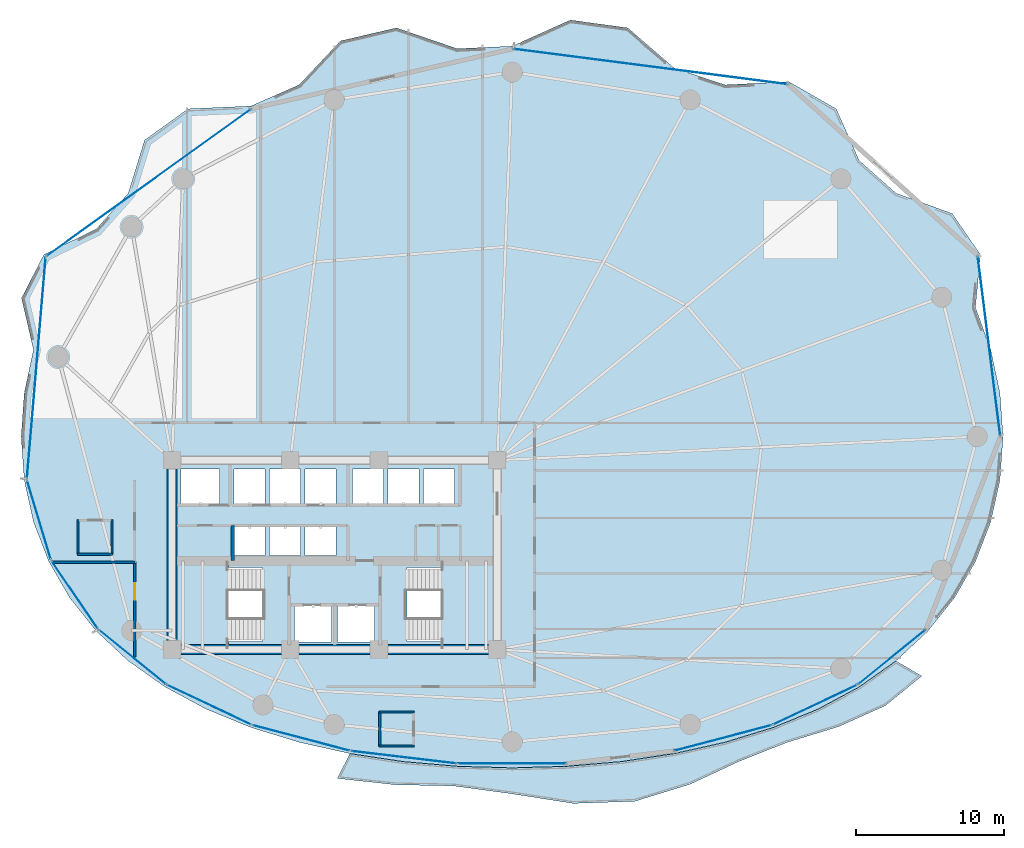
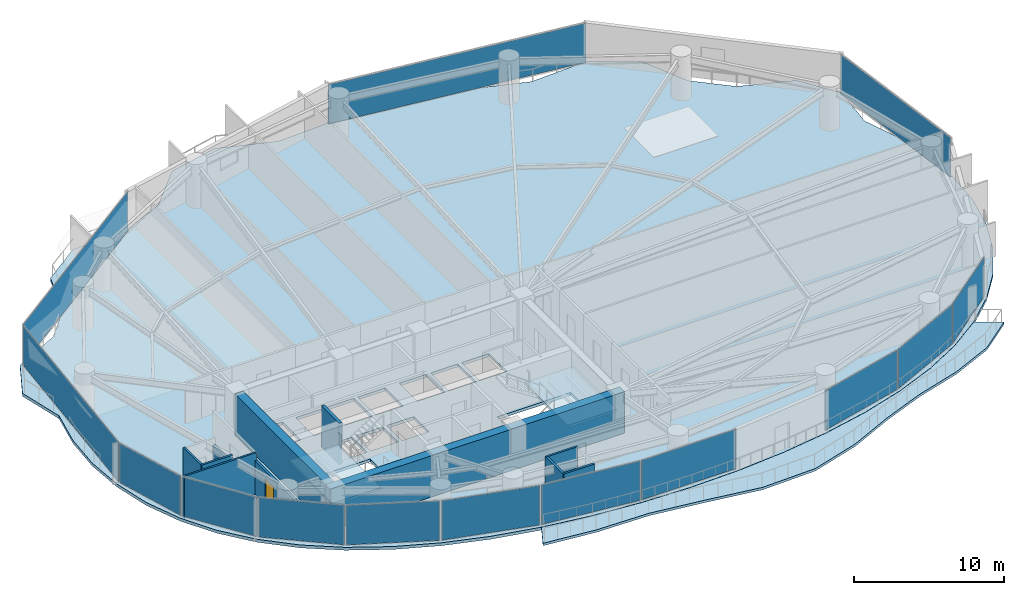
# One storey, part 24 of 30: 14 plates, 11 walls, 4 slabs, 1 door, 1 opening, 16 elements without a shape of their own.
"""IFC4 building model written with IfcOpenShell, lengths in metres."""

from ifc_helpers import new_model, si_unit, direction, frame, frame_2d, origin, origin_2d, place, context, subcontext, project, spatial, polyline, rectangle, outline, extrude, material, layer, layer_set, type_object, element, fill, aggregate, save


model = new_model("IFC4")

# Units and contexts
model_context = context("Model", 3, precision=1e-05, world=origin(), true_north=direction((0.0, 1.0)))
body_context = subcontext(model_context, "Body", "Model", "MODEL_VIEW")
ifc_project = project(units=[si_unit("LENGTHUNIT", "METRE"), si_unit("AREAUNIT", "SQUARE_METRE"), si_unit("VOLUMEUNIT", "CUBIC_METRE"), si_unit("PLANEANGLEUNIT", "RADIAN"), si_unit("MASSUNIT", "GRAM", prefix="KILO")], contexts=[model_context])

# Site, building, storey
site_placement = place(None, origin())
site = spatial("IfcSite", under=ifc_project, at=site_placement, CompositionType="ELEMENT")
building_placement = place(site_placement, origin())
building = spatial("IfcBuilding", under=site, at=building_placement, Name="Kazevale Care Tower and Concert Hall", CompositionType="ELEMENT")
storey_placement = place(building_placement, frame((0.0, 0.0, 70.800048828125)))
storey = spatial("IfcBuildingStorey", under=building, at=storey_placement, Name="L18", CompositionType="ELEMENT", Elevation=70.800048828125)

# Curtain wall, plate
ifc_material_1 = material(Name="Aluminium 6063-T6 and Low-E Glass", Category="aluminium")
ifc_layer_1 = layer(ifc_material_1, 0.179931640625)
ifc_layer_set_1 = layer_set([ifc_layer_1], Name="Aluminium 6063-T6 and Low-E Glass")
curtain_wall_type_1 = type_object("IfcCurtainWallType", Name="Convex Recessed Sunroom Curtain Wall CW-3", PredefinedType="NOTDEFINED", material=ifc_layer_set_1)
curtain_wall_1_placement = place(storey_placement, origin())
curtain_wall_1 = element("IfcCurtainWall", 1, at=curtain_wall_1_placement, inside=storey, type_object=curtain_wall_type_1, Name="cw:L18:f14", PredefinedType="NOTDEFINED")
ifc_material_2 = material(Name="Low-E Laminated Glass", Category="glass")
ifc_layer_2 = layer(ifc_material_2, 0.028076171875)
ifc_layer_set_2 = layer_set([ifc_layer_2], Name="Low-E Laminated Glass")
plate_type_1 = type_object("IfcPlateType", Name="CW-3 Low-E Glazing Panel 28mm", PredefinedType="CURTAIN_PANEL", material=ifc_layer_set_2)
plate_1_placement = place(storey_placement, frame((20.4208984375, 55.169921875, 0.074951171875), z_axis=(0.0, 0.0, 1.0), x_axis=(0.811757810171, 0.583994227391, 0.0)))
plate_1 = element("IfcPlate", 2, at=plate_1_placement, type_object=plate_type_1, Name="CW-3 panel 1.1", PredefinedType="CURTAIN_PANEL", context=body_context, shape_type="SweptSolid", body=[
    extrude(rectangle(XDim=16.990478515625, YDim=0.028076171875, at=origin_2d()), origin(), (0.0, 0.0, 1.0), 3.2099609375),
])
aggregate(curtain_wall_1, [plate_1])

curtain_wall_2_placement = place(storey_placement, origin())
curtain_wall_2 = element("IfcCurtainWall", 3, at=curtain_wall_2_placement, inside=storey, type_object=curtain_wall_type_1, Name="cw:L18:f16", PredefinedType="NOTDEFINED")
plate_2_placement = place(storey_placement, frame((54.349609375, 63.02197265625, 0.074951171875), z_axis=(0.0, 0.0, 1.0), x_axis=(0.991790949461, -0.127869904852, 0.0)))
plate_2 = element("IfcPlate", 4, at=plate_2_placement, type_object=plate_type_1, Name="CW-3 panel 1.1", PredefinedType="CURTAIN_PANEL", context=body_context, shape_type="SweptSolid", body=[
    extrude(rectangle(XDim=18.619140625, YDim=0.028076171875, at=origin_2d()), origin(), (0.0, 0.0, 1.0), 3.2099609375),
])
aggregate(curtain_wall_2, [plate_2])

ifc_layer_3 = layer(ifc_material_1, 0.179931640625)
ifc_layer_set_3 = layer_set([ifc_layer_3], Name="Aluminium 6063-T6 and Low-E Glass")
curtain_wall_type_2 = type_object("IfcCurtainWallType", Name="Waist & Upper Residential Curtain Wall CW-4", PredefinedType="NOTDEFINED", material=ifc_layer_set_3)
curtain_wall_3_placement = place(storey_placement, origin())
curtain_wall_3 = element("IfcCurtainWall", 5, at=curtain_wall_3_placement, inside=storey, type_object=curtain_wall_type_2, Name="cw:L18:f11", PredefinedType="NOTDEFINED")
ifc_layer_4 = layer(ifc_material_2, 0.030029296875)
ifc_layer_set_4 = layer_set([ifc_layer_4], Name="Low-E Laminated Glass")
plate_type_2 = type_object("IfcPlateType", Name="CW-4 Low-E Glazing Panel 30mm", PredefinedType="CURTAIN_PANEL", material=ifc_layer_set_4)
plate_3_placement = place(storey_placement, frame((15.423583984375, 27.298095703125, 0.080078125), z_axis=(0.0, 0.0, 1.0), x_axis=(-0.563665236801, 0.826003329789, 0.0)))
plate_3 = element("IfcPlate", 6, at=plate_3_placement, type_object=plate_type_2, Name="CW-4 panel 1.1", PredefinedType="CURTAIN_PANEL", context=body_context, shape_type="SweptSolid", body=[
    extrude(rectangle(XDim=5.50830078125, YDim=0.030029296875, at=origin_2d()), origin(), (0.0, 0.0, 1.0), 3.199951171875),
])
aggregate(curtain_wall_3, [plate_3])

curtain_wall_4_placement = place(storey_placement, origin())
curtain_wall_4 = element("IfcCurtainWall", 7, at=curtain_wall_4_placement, inside=storey, type_object=curtain_wall_type_2, Name="cw:L18:f12", PredefinedType="NOTDEFINED")
plate_4_placement = place(storey_placement, frame((13.006591796875, 32.364990234375, 0.080078125), z_axis=(0.0, 0.0, 1.0), x_axis=(-0.287895747909, 0.957661755703, 0.0)))
plate_4 = element("IfcPlate", 8, at=plate_4_placement, type_object=plate_type_2, Name="CW-4 panel 1.1", PredefinedType="CURTAIN_PANEL", context=body_context, shape_type="SweptSolid", body=[
    extrude(rectangle(XDim=5.532958984375, YDim=0.030029296875, at=origin_2d()), origin(), (0.0, 0.0, 1.0), 3.199951171875),
])
aggregate(curtain_wall_4, [plate_4])

curtain_wall_5_placement = place(storey_placement, origin())
curtain_wall_5 = element("IfcCurtainWall", 9, at=curtain_wall_5_placement, inside=storey, type_object=curtain_wall_type_2, Name="cw:L18:f13", PredefinedType="NOTDEFINED")
plate_5_placement = place(storey_placement, frame((12.825439453125, 42.6279296875, 0.080078125), z_axis=(0.0, 0.0, 1.0), x_axis=(0.084413041998, 0.996430849754, 0.0)))
plate_5 = element("IfcPlate", 10, at=plate_5_placement, type_object=plate_type_2, Name="CW-4 panel 1.1", PredefinedType="CURTAIN_PANEL", context=body_context, shape_type="SweptSolid", body=[
    extrude(rectangle(XDim=14.968017578125, YDim=0.030029296875, at=origin_2d()), origin(), (0.0, 0.0, 1.0), 3.199951171875),
])
aggregate(curtain_wall_5, [plate_5])

curtain_wall_6_placement = place(storey_placement, origin())
curtain_wall_6 = element("IfcCurtainWall", 11, at=curtain_wall_6_placement, inside=storey, type_object=curtain_wall_type_2, Name="cw:L18:f18", PredefinedType="NOTDEFINED")
plate_6_placement = place(storey_placement, frame((77.251953125, 44.1259765625, 0.080078125), z_axis=(0.0, 0.0, 1.0), x_axis=(0.124393554037, -0.992232958389, 0.0)))
plate_6 = element("IfcPlate", 12, at=plate_6_placement, type_object=plate_type_2, Name="CW-4 panel 1.1", PredefinedType="CURTAIN_PANEL", context=body_context, shape_type="SweptSolid", body=[
    extrude(rectangle(XDim=12.18798828125, YDim=0.030029296875, at=origin_2d()), origin(), (0.0, 0.0, 1.0), 3.199951171875),
])
aggregate(curtain_wall_6, [plate_6])

ifc_layer_5 = layer(ifc_material_1, 0.179931640625)
ifc_layer_set_5 = layer_set([ifc_layer_5], Name="Aluminium 6063-T6 and Low-E Glass")
curtain_wall_type_3 = type_object("IfcCurtainWallType", Name="Sheltered Concave Balcony Curtain Wall CW-5", PredefinedType="NOTDEFINED", material=ifc_layer_set_5)
curtain_wall_7_placement = place(storey_placement, origin())
curtain_wall_7 = element("IfcCurtainWall", 13, at=curtain_wall_7_placement, inside=storey, type_object=curtain_wall_type_3, Name="cw:L18:f02", PredefinedType="NOTDEFINED")
ifc_layer_6 = layer(ifc_material_2, 0.02587890625)
ifc_layer_set_6 = layer_set([ifc_layer_6], Name="Low-E Laminated Glass")
plate_type_3 = type_object("IfcPlateType", Name="CW-5 Low-E Glazing Panel 26mm", PredefinedType="CURTAIN_PANEL", material=ifc_layer_set_6)
plate_7_placement = place(storey_placement, frame((70.679931640625, 23.092041015625, 0.074951171875), z_axis=(0.0, 0.0, 1.0), x_axis=(-0.77659940539, -0.629994732952, 0.0)))
plate_7 = element("IfcPlate", 14, at=plate_7_placement, type_object=plate_type_3, Name="CW-5 panel 1.1", PredefinedType="CURTAIN_PANEL", context=body_context, shape_type="SweptSolid", body=[
    extrude(rectangle(XDim=5.770751953125, YDim=0.02587890625, at=origin_2d()), origin(), (0.0, 0.0, 1.0), 3.2099609375),
])
aggregate(curtain_wall_7, [plate_7])

curtain_wall_8_placement = place(storey_placement, origin())
curtain_wall_8 = element("IfcCurtainWall", 15, at=curtain_wall_8_placement, inside=storey, type_object=curtain_wall_type_3, Name="cw:L18:f03", PredefinedType="NOTDEFINED")
plate_8_placement = place(storey_placement, frame((65.491943359375, 19.863037109375, 0.074951171875), z_axis=(0.0, 0.0, 1.0), x_axis=(-0.904278859092, -0.426942320459, 0.0)))
plate_8 = element("IfcPlate", 16, at=plate_8_placement, type_object=plate_type_3, Name="CW-5 panel 1.1", PredefinedType="CURTAIN_PANEL", context=body_context, shape_type="SweptSolid", body=[
    extrude(rectangle(XDim=6.239501953125, YDim=0.02587890625, at=origin_2d()), origin(), (0.0, 0.0, 1.0), 3.2099609375),
])
aggregate(curtain_wall_8, [plate_8])

curtain_wall_9_placement = place(storey_placement, origin())
curtain_wall_9 = element("IfcCurtainWall", 17, at=curtain_wall_9_placement, inside=storey, type_object=curtain_wall_type_3, Name="cw:L18:f04", PredefinedType="NOTDEFINED")
plate_9_placement = place(storey_placement, frame((59.267578125, 17.6201171875, 0.074951171875), z_axis=(0.0, 0.0, 1.0), x_axis=(-0.966986230097, -0.254828630267, 0.0)))
plate_9 = element("IfcPlate", 18, at=plate_9_placement, type_object=plate_type_3, Name="CW-5 panel 1.1", PredefinedType="CURTAIN_PANEL", context=body_context, shape_type="SweptSolid", body=[
    extrude(rectangle(XDim=6.748779296875, YDim=0.02587890625, at=origin_2d()), origin(), (0.0, 0.0, 1.0), 3.2099609375),
])
aggregate(curtain_wall_9, [plate_9])

curtain_wall_10_placement = place(storey_placement, origin())
curtain_wall_10 = element("IfcCurtainWall", 19, at=curtain_wall_10_placement, inside=storey, type_object=curtain_wall_type_3, Name="cw:L18:f06", PredefinedType="NOTDEFINED")
plate_10_placement = place(storey_placement, frame((45.0, 15.885986328125, 0.074951171875), z_axis=(0.0, 0.0, 1.0), x_axis=(-1.0, 0.0, 0.0)))
plate_10 = element("IfcPlate", 20, at=plate_10_placement, type_object=plate_type_3, Name="CW-5 panel 1.1", PredefinedType="CURTAIN_PANEL", context=body_context, shape_type="SweptSolid", body=[
    extrude(rectangle(XDim=7.263916015625, YDim=0.02587890625, at=origin_2d()), origin(), (0.0, 0.0, 1.0), 3.2099609375),
])
aggregate(curtain_wall_10, [plate_10])

curtain_wall_11_placement = place(storey_placement, origin())
curtain_wall_11 = element("IfcCurtainWall", 21, at=curtain_wall_11_placement, inside=storey, type_object=curtain_wall_type_3, Name="cw:L18:f07", PredefinedType="NOTDEFINED")
plate_11_placement = place(storey_placement, frame((37.680419921875, 16.3134765625, 0.074951171875), z_axis=(0.0, 0.0, 1.0), x_axis=(-0.993070624294, 0.117519084253, 0.0)))
plate_11 = element("IfcPlate", 22, at=plate_11_placement, type_object=plate_type_3, Name="CW-5 panel 1.1", PredefinedType="CURTAIN_PANEL", context=body_context, shape_type="SweptSolid", body=[
    extrude(rectangle(XDim=7.12548828125, YDim=0.02587890625, at=origin_2d()), origin(), (0.0, 0.0, 1.0), 3.2099609375),
])
aggregate(curtain_wall_11, [plate_11])

curtain_wall_12_placement = place(storey_placement, origin())
curtain_wall_12 = element("IfcCurtainWall", 23, at=curtain_wall_12_placement, inside=storey, type_object=curtain_wall_type_3, Name="cw:L18:f08", PredefinedType="NOTDEFINED")
plate_12_placement = place(storey_placement, frame((30.732421875, 17.6201171875, 0.074951171875), z_axis=(0.0, 0.0, 1.0), x_axis=(-0.966986230097, 0.254828630267, 0.0)))
plate_12 = element("IfcPlate", 24, at=plate_12_placement, type_object=plate_type_3, Name="CW-5 panel 1.1", PredefinedType="CURTAIN_PANEL", context=body_context, shape_type="SweptSolid", body=[
    extrude(rectangle(XDim=6.748779296875, YDim=0.02587890625, at=origin_2d()), origin(), (0.0, 0.0, 1.0), 3.2099609375),
])
aggregate(curtain_wall_12, [plate_12])

curtain_wall_13_placement = place(storey_placement, origin())
curtain_wall_13 = element("IfcCurtainWall", 25, at=curtain_wall_13_placement, inside=storey, type_object=curtain_wall_type_3, Name="cw:L18:f09", PredefinedType="NOTDEFINED")
plate_13_placement = place(storey_placement, frame((24.508056640625, 19.863037109375, 0.074951171875), z_axis=(0.0, 0.0, 1.0), x_axis=(-0.904278859092, 0.426942320459, 0.0)))
plate_13 = element("IfcPlate", 26, at=plate_13_placement, type_object=plate_type_3, Name="CW-5 panel 1.1", PredefinedType="CURTAIN_PANEL", context=body_context, shape_type="SweptSolid", body=[
    extrude(rectangle(XDim=6.239501953125, YDim=0.02587890625, at=origin_2d()), origin(), (0.0, 0.0, 1.0), 3.2099609375),
])
aggregate(curtain_wall_13, [plate_13])

curtain_wall_14_placement = place(storey_placement, origin())
curtain_wall_14 = element("IfcCurtainWall", 27, at=curtain_wall_14_placement, inside=storey, type_object=curtain_wall_type_3, Name="cw:L18:f10", PredefinedType="NOTDEFINED")
plate_14_placement = place(storey_placement, frame((19.320068359375, 23.092041015625, 0.074951171875), z_axis=(0.0, 0.0, 1.0), x_axis=(-0.77659940539, 0.629994732952, 0.0)))
plate_14 = element("IfcPlate", 28, at=plate_14_placement, type_object=plate_type_3, Name="CW-5 panel 1.1", PredefinedType="CURTAIN_PANEL", context=body_context, shape_type="SweptSolid", body=[
    extrude(rectangle(XDim=5.770751953125, YDim=0.02587890625, at=origin_2d()), origin(), (0.0, 0.0, 1.0), 3.2099609375),
])
aggregate(curtain_wall_14, [plate_14])

# Slab
ifc_material_3 = material(Name="Concrete C40", Category="concrete")
ifc_layer_7 = layer(ifc_material_3, 0.199951171875)
ifc_layer_set_7 = layer_set([ifc_layer_7], Name="Concrete C40")
slab_type_1 = type_object("IfcSlabType", Name="Sinusoidal Concave Balcony Slab 200", PredefinedType="USERDEFINED", material=ifc_layer_set_7)
slab_1_placement = place(storey_placement, frame((0.0, 0.0, -0.199951171875)))
element("IfcSlab", 29, at=slab_1_placement, inside=storey, type_object=slab_type_1, Name="slab:L18:bal", ObjectType="BALCONY", PredefinedType="USERDEFINED", context=body_context, shape_type="SweptSolid", body=[
    extrude(outline(polyline([(72.702880859375, 21.806396484375), (70.239501953125, 19.802001953125), (67.04931640625, 18.37451171875), (63.57421875, 17.3154296875), (60.317138671875, 16.01953125), (57.028076171875, 14.486328125), (53.29248046875, 13.33447265625), (49.13623046875, 13.192626953125), (45.0, 13.84130859375), (41.060791015625, 14.374267578125), (37.084716796875, 14.45654296875), (33.17578125, 14.884765625), (34.0322265625, 16.55908203125), (34.03369140625, 16.558837890625), (37.61181640625, 16.0205078125), (41.282470703125, 15.700927734375), (45.0, 15.594970703125), (48.717529296875, 15.700927734375), (52.38818359375, 16.0205078125), (55.96630859375, 16.558837890625), (59.40625, 17.323974609375), (62.665283203125, 18.324951171875), (65.701904296875, 19.571044921875), (68.478515625, 21.069091796875), (70.9599609375, 22.8232421875), (70.961181640625, 22.824462890625), (72.702880859375, 21.806396484375)])), origin(), (0.0, 0.0, 1.0), 0.199951171875),
])

# Stair, slab
stair_type = type_object("IfcStairType", Name="Exit Stair Assembly ST1-Z1", PredefinedType="HALF_TURN_STAIR", material=ifc_material_3)
stair_1_placement = place(storey_placement, origin())
stair_1 = element("IfcStair", 30, at=stair_1_placement, inside=storey, type_object=stair_type, Name="stair:L18:ST1", PredefinedType="HALF_TURN_STAIR")
ifc_layer_8 = layer(ifc_material_3, 0.199951171875)
ifc_layer_set_8 = layer_set([ifc_layer_8], Name="Concrete C40")
slab_type_2 = type_object("IfcSlabType", Name="Stair Half-Landing Slab ST1-Z1", PredefinedType="LANDING", material=ifc_layer_set_8)
slab_2_placement = place(storey_placement, frame((0.0, 0.0, 1.599853515625)))
slab_2 = element("IfcSlab", 31, at=slab_2_placement, type_object=slab_type_2, Name="ST1-Z1 landing 1", PredefinedType="LANDING", context=body_context, shape_type="SweptSolid", body=[
    extrude(outline(polyline([(22.050048828125, 23.699951171875), (25.81005859375, 23.699951171875), (25.81005859375, 29.5), (22.050048828125, 29.5), (22.050048828125, 23.699951171875)])), origin(), (0.0, 0.0, 1.0), 0.2001953125),
])
aggregate(stair_1, [slab_2])

stair_2_placement = place(storey_placement, origin())
stair_2 = element("IfcStair", 32, at=stair_2_placement, inside=storey, type_object=stair_type, Name="stair:L18:ST2", PredefinedType="HALF_TURN_STAIR")
slab_3_placement = place(storey_placement, frame((0.0, 0.0, 1.599853515625)))
slab_3 = element("IfcSlab", 33, at=slab_3_placement, type_object=slab_type_2, Name="ST1-Z1 landing 1", PredefinedType="LANDING", context=body_context, shape_type="SweptSolid", body=[
    extrude(outline(polyline([(40.18994140625, 23.699951171875), (43.949951171875, 23.699951171875), (43.949951171875, 29.5), (40.18994140625, 29.5), (40.18994140625, 23.699951171875)])), origin(), (0.0, 0.0, 1.0), 0.2001953125),
])
aggregate(stair_2, [slab_3])

# Slab
ifc_layer_9 = layer(ifc_material_3, 0.239990234375)
ifc_layer_set_9 = layer_set([ifc_layer_9], Name="Concrete C40")
slab_type_3 = type_object("IfcSlabType", Name="Tower Typical Floor Slab 240", PredefinedType="FLOOR", material=ifc_layer_set_9)
slab_4_placement = place(storey_placement, frame((0.0, 0.0, -0.239990234375)))
element("IfcSlab", 34, at=slab_4_placement, inside=storey, type_object=slab_type_3, Name="slab:L18:tw:1", PredefinedType="FLOOR", context=body_context, shape_type="SweptSolid", body=[
    extrude(outline(polyline([(78.199951171875, 38.0), (77.9912109375, 40.955810546875), (77.36767578125, 43.87451171875), (76.3369140625, 46.719482421875), (76.669189453125, 50.300537109375), (74.762451171875, 53.0830078125), (70.956787109375, 54.460205078125), (68.475830078125, 56.66748046875), (66.915771484375, 60.164794921875), (63.700927734375, 62.004638671875), (59.40478515625, 61.78564453125), (55.96533203125, 62.91845703125), (52.821533203125, 65.63916015625), (48.935546875, 66.171630859375), (45.0, 64.39990234375), (41.28271484375, 64.23388671875), (37.178466796875, 65.63916015625), (33.390625, 64.759033203125), (30.59521484375, 61.78564453125), (27.33642578125, 60.353515625), (23.084228515625, 60.164794921875), (20.145263671875, 58.04638671875), (19.043212890625, 54.460205078125), (16.888916015625, 52.045654296875), (13.330810546875, 50.300537109375), (11.822509765625, 47.36328125), (12.63232421875, 43.87451171875), (12.0087890625, 40.955810546875), (11.800048828125, 38.0), (12.0087890625, 35.06494140625), (12.63232421875, 32.23388671875), (13.6630859375, 29.560791015625), (15.087890625, 27.084716796875), (16.888916015625, 24.833984375), (19.043212890625, 22.8271484375), (21.524169921875, 21.073486328125), (24.300048828125, 19.575439453125), (27.33642578125, 18.32958984375), (30.59521484375, 17.32861328125), (34.03466796875, 16.563720703125), (37.6123046875, 16.025390625), (41.28271484375, 15.705810546875), (45.0, 15.60009765625), (48.71728515625, 15.705810546875), (52.3876953125, 16.025390625), (55.96533203125, 16.563720703125), (59.40478515625, 17.32861328125), (62.66357421875, 18.32958984375), (65.699951171875, 19.575439453125), (68.475830078125, 21.073486328125), (70.956787109375, 22.8271484375), (73.111083984375, 24.833984375), (74.912109375, 27.084716796875), (76.3369140625, 29.560791015625), (77.36767578125, 32.23388671875), (77.9912109375, 35.06494140625), (78.199951171875, 38.0)]), holes=[polyline([(22.449951171875, 24.14990234375), (28.110107421875, 24.14990234375), (28.110107421875, 29.14990234375), (22.449951171875, 29.14990234375), (22.449951171875, 24.14990234375)]), polyline([(37.889892578125, 24.14990234375), (43.550048828125, 24.14990234375), (43.550048828125, 29.14990234375), (37.889892578125, 29.14990234375), (37.889892578125, 24.14990234375)]), polyline([(30.300048828125, 24.10009765625), (32.800048828125, 24.10009765625), (32.800048828125, 26.60009765625), (30.300048828125, 26.60009765625), (30.300048828125, 24.10009765625)]), polyline([(33.199951171875, 24.10009765625), (35.699951171875, 24.10009765625), (35.699951171875, 26.60009765625), (33.199951171875, 26.60009765625), (33.199951171875, 24.10009765625)]), polyline([(22.60009765625, 33.39990234375), (25.199951171875, 33.39990234375), (25.199951171875, 35.800048828125), (22.60009765625, 35.800048828125), (22.60009765625, 33.39990234375)]), polyline([(26.199951171875, 33.39990234375), (28.300048828125, 33.39990234375), (28.300048828125, 35.800048828125), (26.199951171875, 35.800048828125), (26.199951171875, 33.39990234375)]), polyline([(28.60009765625, 33.39990234375), (30.699951171875, 33.39990234375), (30.699951171875, 35.800048828125), (28.60009765625, 35.800048828125), (28.60009765625, 33.39990234375)]), polyline([(31.0, 33.39990234375), (33.10009765625, 33.39990234375), (33.10009765625, 35.800048828125), (31.0, 35.800048828125), (31.0, 33.39990234375)]), polyline([(34.199951171875, 33.39990234375), (36.300048828125, 33.39990234375), (36.300048828125, 35.800048828125), (34.199951171875, 35.800048828125), (34.199951171875, 33.39990234375)]), polyline([(36.60009765625, 33.39990234375), (38.699951171875, 33.39990234375), (38.699951171875, 35.800048828125), (36.60009765625, 35.800048828125), (36.60009765625, 33.39990234375)]), polyline([(39.0, 33.39990234375), (41.10009765625, 33.39990234375), (41.10009765625, 35.800048828125), (39.0, 35.800048828125), (39.0, 33.39990234375)]), polyline([(26.199951171875, 29.949951171875), (28.300048828125, 29.949951171875), (28.300048828125, 31.949951171875), (26.199951171875, 31.949951171875), (26.199951171875, 29.949951171875)]), polyline([(28.60009765625, 29.949951171875), (30.699951171875, 29.949951171875), (30.699951171875, 31.949951171875), (28.60009765625, 31.949951171875), (28.60009765625, 29.949951171875)]), polyline([(31.0, 29.949951171875), (33.10009765625, 29.949951171875), (33.10009765625, 31.949951171875), (31.0, 31.949951171875), (31.0, 29.949951171875)])]), origin(), (0.0, 0.0, 1.0), 0.239990234375),
])

# Walls
ifc_material_4 = material(Name="Acoustic Gypsum on Steel Stud", Category="steel")
ifc_layer_10 = layer(ifc_material_4, 0.139892578125)
ifc_layer_set_10 = layer_set([ifc_layer_10], Name="Acoustic Gypsum on Steel Stud")
wall_type_1 = type_object("IfcWallType", Name="Acoustic Care & Suite Partition 140", PredefinedType="PARTITIONING", material=ifc_layer_set_10)
wall_1_placement = place(storey_placement, frame((13.930908203125, 29.5, 0.0), z_axis=(0.0, 0.0, 1.0), x_axis=(1.0, 0.0, 0.0)))
element("IfcWall", 35, at=wall_1_placement, inside=storey, type_object=wall_type_1, Name="wall:L18:auto_027", PredefinedType="PARTITIONING", context=body_context, shape_type="SweptSolid", body=[
    extrude(rectangle(XDim=5.573974609375, YDim=0.139892578125, at=frame_2d((2.787109375, 0.0))), origin(), (0.0, 0.0, 1.0), 3.35986328125),
])
ifc_material_5 = material(Name="Concrete C70", Category="concrete")
ifc_layer_11 = layer(ifc_material_5, 0.64990234375)
ifc_layer_set_11 = layer_set([ifc_layer_11], Name="Concrete C70")
wall_type_2 = type_object("IfcWallType", Name="Core Shear Wall 650 C70", PredefinedType="SHEAR", material=ifc_layer_set_11)
wall_2_placement = place(storey_placement, frame((21.675048828125, 23.60009765625, 0.0), z_axis=(0.0, 0.0, 1.0), x_axis=(1.0, 0.0, 0.0)))
element("IfcWall", 36, at=wall_2_placement, inside=storey, type_object=wall_type_2, Name="wall:L18:core:S", PredefinedType="SHEAR", context=body_context, shape_type="SweptSolid", body=[
    extrude(rectangle(XDim=22.64990234375, YDim=0.64990234375, at=frame_2d((11.324951171875, 0.0))), origin(), (0.0, 0.0, 1.0), 3.35986328125),
])
wall_3_placement = place(storey_placement, frame((22.0, 23.925048828125, 0.0), z_axis=(0.0, 0.0, 1.0), x_axis=(0.0, 1.0, 0.0)))
element("IfcWall", 37, at=wall_3_placement, inside=storey, type_object=wall_type_2, Name="wall:L18:core:W", PredefinedType="SHEAR", context=body_context, shape_type="SweptSolid", body=[
    extrude(rectangle(XDim=12.14990234375, YDim=0.64990234375, at=frame_2d((6.074951171875, 0.0))), origin(), (0.0, 0.0, 1.0), 3.35986328125),
])
ifc_layer_12 = layer(ifc_material_3, 0.219970703125)
ifc_layer_set_12 = layer_set([ifc_layer_12], Name="Concrete C40")
wall_type_3 = type_object("IfcWallType", Name="Elevator Hoistway Shaft Wall 220", PredefinedType="SOLIDWALL", material=ifc_layer_set_12)
wall_4_placement = place(storey_placement, frame((26.10009765625, 29.6201171875, 0.0), z_axis=(0.0, 0.0, 1.0), x_axis=(0.0, 1.0, 0.0)))
element("IfcWall", 38, at=wall_4_placement, inside=storey, type_object=wall_type_3, Name="wall:L18:c_ph_w", PredefinedType="SOLIDWALL", context=body_context, shape_type="SweptSolid", body=[
    extrude(rectangle(XDim=2.35986328125, YDim=0.219970703125, at=frame_2d((1.179931640625, 0.0))), origin(), (0.0, 0.0, 1.0), 3.35986328125),
])

# Wall, opening, door
ifc_material_6 = material(Name="Concrete C40 and Acoustic Gypsum", Category="concrete")
ifc_layer_13 = layer(ifc_material_6, 0.179931640625)
ifc_layer_set_13 = layer_set([ifc_layer_13], Name="Concrete C40 and Acoustic Gypsum")
wall_type_4 = type_object("IfcWallType", Name="Fire-Rated Corridor & Party Wall 180", PredefinedType="PARTITIONING", material=ifc_layer_set_13)
wall_5_placement = place(storey_placement, frame((19.47509765625, 23.0849609375, 0.0), z_axis=(0.0, 0.0, 1.0), x_axis=(0.0, 1.0, 0.0)))
wall_5 = element("IfcWall", 39, at=wall_5_placement, inside=storey, type_object=wall_type_4, Name="wall:L18:auto_014", PredefinedType="PARTITIONING", context=body_context, shape_type="SweptSolid", body=[
    extrude(rectangle(XDim=6.47998046875, YDim=0.179931640625, at=frame_2d((3.239990234375, 0.0))), origin(), (0.0, 0.0, 1.0), 2.738037109375),
])
opening_placement = place(wall_5_placement, frame((3.889892578125, 0.0, 0.0)))
opening = element("IfcOpeningElement", 40, at=opening_placement, cuts=wall_5, Name="Opening ID-1100", PredefinedType="OPENING", context=body_context, shape_type="SweptSolid", body=[
    extrude(rectangle(XDim=1.10009765625, YDim=2.10009765625, at=frame_2d((0.550048828125, 1.050048828125))), frame((0.0, 0.099853515625, 0.0), z_axis=(0.0, -1.0, 0.0), x_axis=(1.0, 0.0, 0.0)), (0.0, 0.0, 1.0), 0.199951171875),
])
ifc_material_7 = material(Name="Oak Timber Fire Leaf", Category="wood")
door_type = type_object("IfcDoorType", Name="Care Bedroom Accessible Door 1100x2100", OperationType="NOTDEFINED", PredefinedType="DOOR", material=ifc_material_7)
door_placement = place(opening_placement, origin())
door = element("IfcDoor", 41, at=door_placement, inside=storey, type_object=door_type, Name="door:L18:ad_014", OperationType="SINGLE_SWING_LEFT", OverallHeight=2.10009765625, OverallWidth=1.10009765625, PredefinedType="DOOR", context=body_context, shape_type="SweptSolid", body=[
    extrude(rectangle(XDim=1.10009765625, YDim=2.10009765625, at=frame_2d((0.550048828125, 1.050048828125))), frame((0.0, 0.02490234375, 0.0), z_axis=(0.0, -1.0, 0.0), x_axis=(1.0, 0.0, 0.0)), (0.0, 0.0, 1.0), 0.050048828125),
])
fill(opening, door)

# Walls
ifc_layer_14 = layer(ifc_material_4, 0.159912109375)
ifc_layer_set_14 = layer_set([ifc_layer_14], Name="Acoustic Gypsum on Steel Stud")
wall_type_5 = type_object("IfcWallType", Name="Moisture-Resistant Bathroom Plumbing Wall 160", PredefinedType="PLUMBINGWALL", material=ifc_layer_set_14)
for number, where, z_axis, x_axis, name in (
    (42, (36.010009765625, 17.080078125, 0.0), (0.0, 0.0, 1.0), (1.0, 0.0, 0.0), "wall:L18:sb2_ens_ws"),
    (43, (36.010009765625, 19.3798828125, 0.0), (0.0, 0.0, 1.0), (1.0, 0.0, 0.0), "wall:L18:sb2_ens_wn"),
    (44, (36.050048828125, 17.0400390625, 0.0), (0.0, 0.0, 1.0), (0.0, 1.0, 0.0), "wall:L18:sb2_ens_ww"),
    (45, (15.60205078125, 30.050048828125, 0.0), (0.0, 0.0, 1.0), (1.0, 0.0, 0.0), "wall:L18:wb3_ens_ws"),
    (46, (15.64208984375, 30.010009765625, 0.0), (0.0, 0.0, 1.0), (0.0, 1.0, 0.0), "wall:L18:wb3_ens_ww"),
):
    element("IfcWall", number, at=place(storey_placement, frame(where, z_axis=z_axis, x_axis=x_axis)), inside=storey, type_object=wall_type_5, Name=name, PredefinedType="PLUMBINGWALL", context=body_context, shape_type="SweptSolid", body=[
        extrude(rectangle(XDim=2.3798828125, YDim=0.159912109375, at=frame_2d((1.18994140625, 0.0))), origin(), (0.0, 0.0, 1.0), 3.35986328125),
    ])
wall_6_placement = place(storey_placement, frame((17.94189453125, 30.010009765625, 0.0), z_axis=(0.0, 0.0, 1.0), x_axis=(0.0, 1.0, 0.0)))
element("IfcWall", 47, at=wall_6_placement, inside=storey, type_object=wall_type_5, Name="wall:L18:wb3_ens_we", PredefinedType="PLUMBINGWALL", context=body_context, shape_type="SweptSolid", body=[
    extrude(rectangle(XDim=2.3798828125, YDim=0.159912109375, at=frame_2d((1.18994140625, 0.0))), origin(), (0.0, 0.0, 1.0), 2.738037109375),
])

save(model, "model.ifc")
